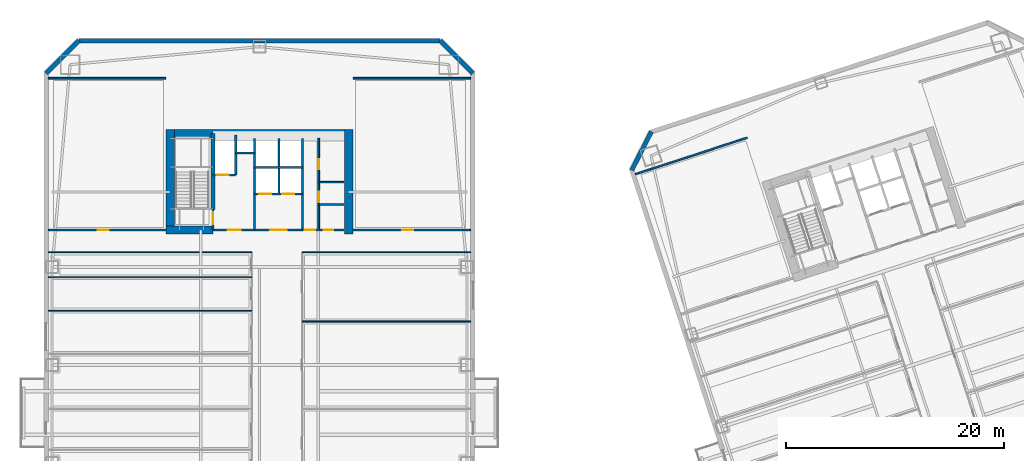
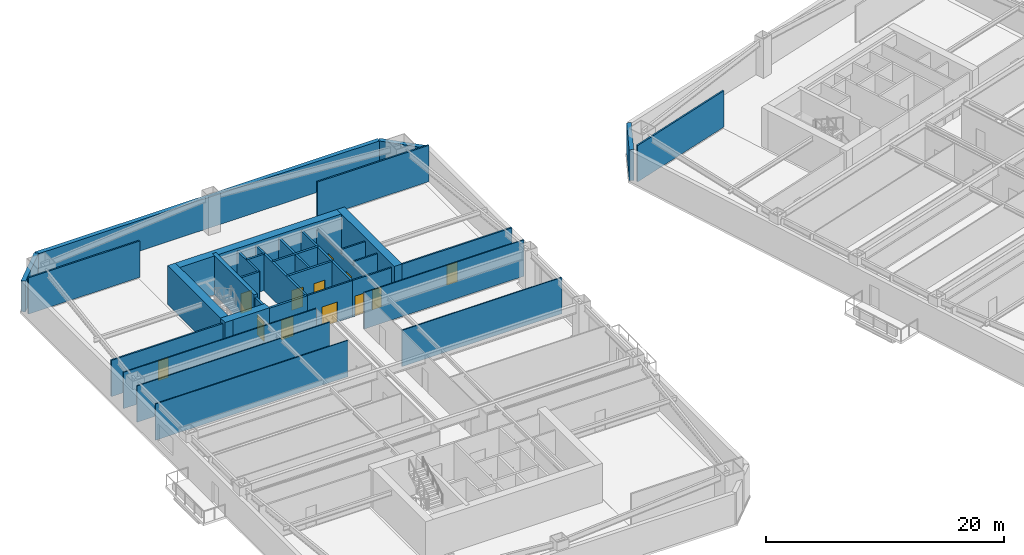
# One storey, part 6 of 18: 34 walls, 12 doors, 12 openings.
"""IFC4 building model written with IfcOpenShell, lengths in metres."""

from ifc_helpers import new_model, si_unit, direction, frame, frame_2d, origin, place, context, subcontext, project, spatial, rectangle, extrude, material, layer, layer_set, type_object, element, fill, save


model = new_model("IFC4")

# Units and contexts
model_context = context("Model", 3, precision=1e-05, world=origin(), true_north=direction((0.0, 1.0)))
body_context = subcontext(model_context, "Body", "Model", "MODEL_VIEW")
ifc_project = project(units=[si_unit("LENGTHUNIT", "METRE"), si_unit("AREAUNIT", "SQUARE_METRE"), si_unit("VOLUMEUNIT", "CUBIC_METRE"), si_unit("PLANEANGLEUNIT", "RADIAN"), si_unit("MASSUNIT", "GRAM", prefix="KILO")], contexts=[model_context])

# Site, building, storey
site_placement = place(None, origin())
site = spatial("IfcSite", under=ifc_project, at=site_placement, CompositionType="ELEMENT")
building_placement = place(site_placement, origin())
building = spatial("IfcBuilding", under=site, at=building_placement, Name="Qiaolan Cultural Towers", CompositionType="ELEMENT")
storey_placement = place(building_placement, frame((0.0, 0.0, 38.0)))
storey = spatial("IfcBuildingStorey", under=building, at=storey_placement, Name="L08", CompositionType="ELEMENT", Elevation=38.0)

# Walls
ifc_material_1 = material(Name="Concrete C50", Category="concrete")
ifc_layer_1 = layer(ifc_material_1, 0.35009765625)
ifc_layer_set_1 = layer_set([ifc_layer_1], Name="Concrete C50")
wall_type_1 = type_object("IfcWallType", Name="WL-CORE-350", PredefinedType="SHEAR", material=ifc_layer_set_1)
wall_1_placement = place(storey_placement, frame((25.719970703125, 48.300048828125, 0.0), z_axis=(0.0, 0.0, 1.0), x_axis=(0.0, 1.0, 0.0)))
element("IfcWall", 1, at=wall_1_placement, inside=storey, type_object=wall_type_1, Name="L08 T1-CN Stair Core Dividing Web", PredefinedType="SHEAR", context=body_context, shape_type="SweptSolid", body=[
    extrude(rectangle(XDim=6.97998046875, YDim=0.35009765625, at=frame_2d((3.489990234375, 0.0))), origin(), (0.0, 0.0, 1.0), 4.0),
])
ifc_material_2 = material(Name="Concrete C60", Category="concrete")
ifc_layer_2 = layer(ifc_material_2, 0.75)
ifc_layer_set_2 = layer_set([ifc_layer_2], Name="Concrete C60")
wall_type_2 = type_object("IfcWallType", Name="WL-CORE-750", PredefinedType="SHEAR", material=ifc_layer_set_2)
wall_2_placement = place(storey_placement, frame((21.425048828125, 55.280029296875, 0.0), z_axis=(0.0, 0.0, 1.0), x_axis=(1.0, 0.0, 0.0)))
element("IfcWall", 2, at=wall_2_placement, inside=storey, type_object=wall_type_2, Name="L08 T1-CN Outer Core Shear Wall", PredefinedType="SHEAR", context=body_context, shape_type="SweptSolid", body=[
    extrude(rectangle(XDim=17.14990234375, YDim=0.75, at=frame_2d((8.574951171875, 0.0))), origin(), (0.0, 0.0, 1.0), 4.0),
])
for number, where, z_axis, x_axis, name in (
    (3, (21.800048828125, 46.02490234375, 0.0), (0.0, 0.0, 1.0), (0.0, 1.0, 0.0), "L08 T1-CN West Core Shear Wall"),
    (4, (38.199951171875, 46.02490234375, 0.0), (0.0, 0.0, 1.0), (0.0, 1.0, 0.0), "L08 T1-CN East Core Shear Wall"),
):
    element("IfcWall", number, at=place(storey_placement, frame(where, z_axis=z_axis, x_axis=x_axis)), inside=storey, type_object=wall_type_2, Name=name, PredefinedType="SHEAR", context=body_context, shape_type="SweptSolid", body=[
        extrude(rectangle(XDim=9.630126953125, YDim=0.75, at=frame_2d((4.81494140625, 0.0))), origin(), (0.0, 0.0, 1.0), 4.0),
    ])
wall_3_placement = place(storey_placement, frame((21.425048828125, 46.39990234375, 0.0), z_axis=(0.0, 0.0, 1.0), x_axis=(1.0, 0.0, 0.0)))
element("IfcWall", 5, at=wall_3_placement, inside=storey, type_object=wall_type_2, Name="L08 T1-CN Stair Front Shear Wall", PredefinedType="SHEAR", context=body_context, shape_type="SweptSolid", body=[
    extrude(rectangle(XDim=4.294921875, YDim=0.75, at=frame_2d((2.1474609375, 0.0))), origin(), (0.0, 0.0, 1.0), 4.0),
])
ifc_material_3 = material(Name="Precast Concrete C50 Honed Stone Pier", Category="masonry")
ifc_layer_3 = layer(ifc_material_3, 0.39990234375)
ifc_layer_set_3 = layer_set([ifc_layer_3], Name="Precast Concrete C50 Honed Stone Pier")
wall_type_3 = type_object("IfcWallType", Name="WL-EXT-PIER-400", PredefinedType="SOLIDWALL", material=ifc_layer_set_3)
wall_4_placement = place(storey_placement, frame((10.39990234375, 60.800048828125, 0.0), z_axis=(0.0, 0.0, 1.0), x_axis=(0.707106781187, 0.707106781187, 0.0)))
element("IfcWall", 6, at=wall_4_placement, inside=storey, type_object=wall_type_3, Name="L08 West Tower Precast Pier Facade Wall F2", PredefinedType="SOLIDWALL", context=body_context, shape_type="SweptSolid", body=[
    extrude(rectangle(XDim=4.24267578125, YDim=0.39990234375, at=frame_2d((2.121337890625, 0.0))), origin(), (0.0, 0.0, 1.0), 3.159912109375),
])
wall_5_placement = place(storey_placement, frame((13.39990234375, 63.800048828125, 0.0), z_axis=(0.0, 0.0, 1.0), x_axis=(1.0, 0.0, 0.0)))
element("IfcWall", 7, at=wall_5_placement, inside=storey, type_object=wall_type_3, Name="L08 West Tower Precast Pier Facade Wall F3", PredefinedType="SOLIDWALL", context=body_context, shape_type="SweptSolid", body=[
    extrude(rectangle(XDim=33.2001953125, YDim=0.39990234375, at=frame_2d((16.60009765625, 0.0))), origin(), (0.0, 0.0, 1.0), 3.159912109375),
])
wall_6_placement = place(storey_placement, frame((46.60009765625, 63.800048828125, 0.0), z_axis=(0.0, 0.0, 1.0), x_axis=(0.707106781187, -0.707106781187, 0.0)))
element("IfcWall", 8, at=wall_6_placement, inside=storey, type_object=wall_type_3, Name="L08 West Tower Precast Pier Facade Wall F4", PredefinedType="SOLIDWALL", context=body_context, shape_type="SweptSolid", body=[
    extrude(rectangle(XDim=4.24267578125, YDim=0.39990234375, at=frame_2d((2.121337890625, 0.0))), origin(), (0.0, 0.0, 1.0), 3.159912109375),
])
wall_7_placement = place(storey_placement, frame((64.20458984375, 51.905029296875, 0.0), z_axis=(0.0, 0.0, 1.0), x_axis=(0.453958106755, 0.891023028497, 0.0)))
element("IfcWall", 9, at=wall_7_placement, inside=storey, type_object=wall_type_3, Name="L08 East Tower Precast Pier Facade Wall F2", PredefinedType="SOLIDWALL", context=body_context, shape_type="SweptSolid", body=[
    extrude(rectangle(XDim=3.9599609375, YDim=0.39990234375, at=frame_2d((1.97998046875, 0.0))), origin(), (0.0, 0.0, 1.0), 3.159912109375),
])

# Wall, opening, door
ifc_material_4 = material(Name="Concrete C35 Fire Wall", Category="concrete")
ifc_layer_4 = layer(ifc_material_4, 0.199951171875)
ifc_layer_set_4 = layer_set([ifc_layer_4], Name="Concrete C35 Fire Wall")
wall_type_4 = type_object("IfcWallType", Name="WL-FIRE-200", PredefinedType="PARTITIONING", material=ifc_layer_set_4)
wall_8_placement = place(storey_placement, frame((25.719970703125, 46.39990234375, 0.0), z_axis=(0.0, 0.0, 1.0), x_axis=(0.0, 1.0, 0.0)))
wall_8 = element("IfcWall", 10, at=wall_8_placement, inside=storey, type_object=wall_type_4, Name="L08 T1-CN Smokeproof Stair Entry Wall", PredefinedType="PARTITIONING", context=body_context, shape_type="SweptSolid", body=[
    extrude(rectangle(XDim=1.900146484375, YDim=0.199951171875, at=frame_2d((0.9501953125, 0.0))), origin(), (0.0, 0.0, 1.0), 3.72509765625),
])
opening_1_placement = place(wall_8_placement, frame((0.52001953125, 0.0, 0.0)))
opening_1 = element("IfcOpeningElement", 11, at=opening_1_placement, cuts=wall_8, Name="Opening FD-04", PredefinedType="OPENING", context=body_context, shape_type="SweptSolid", body=[
    extrude(rectangle(XDim=1.10009765625, YDim=2.050048828125, at=frame_2d((0.550048828125, 1.02490234375))), frame((0.0, 0.10986328125, 0.0), z_axis=(0.0, -1.0, 0.0), x_axis=(1.0, 0.0, 0.0)), (0.0, 0.0, 1.0), 0.219970703125),
])
ifc_material_5 = material(Name="Galvanized Steel Command Fire Door", Category="steel")
door_type_1 = type_object("IfcDoorType", Name="DR-FD90-1100", OperationType="NOTDEFINED", PredefinedType="DOOR", material=ifc_material_5)
door_1_placement = place(opening_1_placement, origin())
door_1 = element("IfcDoor", 12, at=door_1_placement, inside=storey, type_object=door_type_1, Name="L08 ST-W2 Smokeproof Stair Fire Door", OperationType="SINGLE_SWING_LEFT", OverallHeight=2.050048828125, OverallWidth=1.10009765625, PredefinedType="DOOR", context=body_context, shape_type="SweptSolid", body=[
    extrude(rectangle(XDim=1.10009765625, YDim=2.050048828125, at=frame_2d((0.550048828125, 1.02490234375))), frame((0.0, 0.02490234375, 0.0), z_axis=(0.0, -1.0, 0.0), x_axis=(1.0, 0.0, 0.0)), (0.0, 0.0, 1.0), 0.050048828125),
])
fill(opening_1, door_1)

# Wall
wall_9_placement = place(storey_placement, frame((29.550048828125, 46.39990234375, 0.0), z_axis=(0.0, 0.0, 1.0), x_axis=(0.0, 1.0, 0.0)))
element("IfcWall", 13, at=wall_9_placement, inside=storey, type_object=wall_type_4, Name="L08 T1-CN Firefighting Zone Wall", PredefinedType="PARTITIONING", context=body_context, shape_type="SweptSolid", body=[
    extrude(rectangle(XDim=8.43017578125, YDim=0.199951171875, at=frame_2d((4.215087890625, 0.0))), origin(), (0.0, 0.0, 1.0), 3.72509765625),
])

# Wall, opening, door
wall_10_placement = place(storey_placement, frame((25.719970703125, 46.39990234375, 0.0), z_axis=(0.0, 0.0, 1.0), x_axis=(1.0, 0.0, 0.0)))
wall_10 = element("IfcWall", 14, at=wall_10_placement, inside=storey, type_object=wall_type_4, Name="L08 T1-CN Firefighting Lobby Front Wall", PredefinedType="PARTITIONING", context=body_context, shape_type="SweptSolid", body=[
    extrude(rectangle(XDim=3.830078125, YDim=0.199951171875, at=frame_2d((1.9150390625, 0.0))), origin(), (0.0, 0.0, 1.0), 3.72509765625),
])
opening_2_placement = place(wall_10_placement, frame((1.35009765625, 0.0, 0.0)))
opening_2 = element("IfcOpeningElement", 15, at=opening_2_placement, cuts=wall_10, Name="Opening FD-03", PredefinedType="OPENING", context=body_context, shape_type="SweptSolid", body=[
    extrude(rectangle(XDim=1.199951171875, YDim=2.050048828125, at=frame_2d((0.60009765625, 1.02490234375))), frame((0.0, 0.10986328125, 0.0), z_axis=(0.0, -1.0, 0.0), x_axis=(1.0, 0.0, 0.0)), (0.0, 0.0, 1.0), 0.219970703125),
])
ifc_material_6 = material(Name="Galvanized Steel Smokeproof Lobby Fire Door", Category="steel")
door_type_2 = type_object("IfcDoorType", Name="DR-FD90-1200", OperationType="NOTDEFINED", PredefinedType="DOOR", material=ifc_material_6)
door_2_placement = place(opening_2_placement, origin())
door_2 = element("IfcDoor", 16, at=door_2_placement, inside=storey, type_object=door_type_2, Name="L08 FFL-W2 Firefighting Lobby Fire Door", OperationType="SINGLE_SWING_LEFT", OverallHeight=2.050048828125, OverallWidth=1.199951171875, PredefinedType="DOOR", context=body_context, shape_type="SweptSolid", body=[
    extrude(rectangle(XDim=1.199951171875, YDim=2.050048828125, at=frame_2d((0.60009765625, 1.02490234375))), frame((0.0, 0.02490234375, 0.0), z_axis=(0.0, -1.0, 0.0), x_axis=(1.0, 0.0, 0.0)), (0.0, 0.0, 1.0), 0.050048828125),
])
fill(opening_2, door_2)

wall_11_placement = place(storey_placement, frame((25.719970703125, 51.449951171875, 0.0), z_axis=(0.0, 0.0, 1.0), x_axis=(1.0, 0.0, 0.0)))
wall_11 = element("IfcWall", 17, at=wall_11_placement, inside=storey, type_object=wall_type_4, Name="L08 T1-CN Firefighting Shaft Front Wall", PredefinedType="PARTITIONING", context=body_context, shape_type="SweptSolid", body=[
    extrude(rectangle(XDim=2.10009765625, YDim=0.199951171875, at=frame_2d((1.050048828125, 0.0))), origin(), (0.0, 0.0, 1.0), 3.72509765625),
])
opening_3_placement = place(wall_11_placement, frame((0.35009765625, 0.0, 0.0)))
opening_3 = element("IfcOpeningElement", 18, at=opening_3_placement, cuts=wall_11, Name="Opening LD-01", PredefinedType="OPENING", context=body_context, shape_type="SweptSolid", body=[
    extrude(rectangle(XDim=1.10009765625, YDim=2.050048828125, at=frame_2d((0.550048828125, 1.02490234375))), frame((0.0, 0.10986328125, 0.0), z_axis=(0.0, -1.0, 0.0), x_axis=(1.0, 0.0, 0.0)), (0.0, 0.0, 1.0), 0.219970703125),
])
ifc_material_7 = material(Name="Brushed Stainless Steel S30408 Centre-Parting Lift Landing Door", Category="steel")
door_type_3 = type_object("IfcDoorType", Name="DR-LIFT-1100", OperationType="NOTDEFINED", PredefinedType="DOOR", material=ifc_material_7)
door_3_placement = place(opening_3_placement, origin())
door_3 = element("IfcDoor", 19, at=door_3_placement, inside=storey, type_object=door_type_3, Name="L08 FFL-W2 Firefighting Lift Landing Door", OperationType="DOUBLE_DOOR_SLIDING", OverallHeight=2.050048828125, OverallWidth=1.10009765625, PredefinedType="DOOR", context=body_context, shape_type="SweptSolid", body=[
    extrude(rectangle(XDim=1.10009765625, YDim=2.050048828125, at=frame_2d((0.550048828125, 1.02490234375))), frame((0.0, 0.02490234375, 0.0), z_axis=(0.0, -1.0, 0.0), x_axis=(1.0, 0.0, 0.0)), (0.0, 0.0, 1.0), 0.050048828125),
])
fill(opening_3, door_3)

# Walls
wall_12_placement = place(storey_placement, frame((27.820068359375, 51.449951171875, 0.0), z_axis=(0.0, 0.0, 1.0), x_axis=(0.0, 1.0, 0.0)))
element("IfcWall", 20, at=wall_12_placement, inside=storey, type_object=wall_type_4, Name="L08 T1-CN Firefighting Hoistway East Wall", PredefinedType="PARTITIONING", context=body_context, shape_type="SweptSolid", body=[
    extrude(rectangle(XDim=3.699951171875, YDim=0.199951171875, at=frame_2d((1.85009765625, 0.0))), origin(), (0.0, 0.0, 1.0), 3.72509765625),
])
wall_13_placement = place(storey_placement, frame((27.820068359375, 53.47998046875, 0.0), z_axis=(0.0, 0.0, 1.0), x_axis=(1.0, 0.0, 0.0)))
element("IfcWall", 21, at=wall_13_placement, inside=storey, type_object=wall_type_4, Name="L08 T1-CN Pressurization Shaft Front Wall", PredefinedType="PARTITIONING", context=body_context, shape_type="SweptSolid", body=[
    extrude(rectangle(XDim=1.72998046875, YDim=0.199951171875, at=frame_2d((0.864990234375, 0.0))), origin(), (0.0, 0.0, 1.0), 3.72509765625),
])
wall_14_placement = place(storey_placement, frame((33.949951171875, 46.39990234375, 0.0), z_axis=(0.0, 0.0, 1.0), x_axis=(0.0, 1.0, 0.0)))
element("IfcWall", 22, at=wall_14_placement, inside=storey, type_object=wall_type_4, Name="L08 T1-CN Lift Core East Wall", PredefinedType="PARTITIONING", context=body_context, shape_type="SweptSolid", body=[
    extrude(rectangle(XDim=8.43017578125, YDim=0.199951171875, at=frame_2d((4.215087890625, 0.0))), origin(), (0.0, 0.0, 1.0), 3.72509765625),
])

# Wall, openings, doors
wall_15_placement = place(storey_placement, frame((29.550048828125, 49.719970703125, 0.0), z_axis=(0.0, 0.0, 1.0), x_axis=(1.0, 0.0, 0.0)))
wall_15 = element("IfcWall", 23, at=wall_15_placement, inside=storey, type_object=wall_type_4, Name="L08 T1-CN Passenger Lift Shaft Front Wall", PredefinedType="PARTITIONING", context=body_context, shape_type="SweptSolid", body=[
    extrude(rectangle(XDim=4.39990234375, YDim=0.199951171875, at=frame_2d((2.199951171875, 0.0))), origin(), (0.0, 0.0, 1.0), 3.72509765625),
])
opening_4_placement = place(wall_15_placement, frame((0.449951171875, 0.0, 0.0)))
opening_4 = element("IfcOpeningElement", 24, at=opening_4_placement, cuts=wall_15, Name="Opening LD-01", PredefinedType="OPENING", context=body_context, shape_type="SweptSolid", body=[
    extrude(rectangle(XDim=1.10009765625, YDim=2.050048828125, at=frame_2d((0.550048828125, 1.02490234375))), frame((0.0, 0.10986328125, 0.0), z_axis=(0.0, -1.0, 0.0), x_axis=(1.0, 0.0, 0.0)), (0.0, 0.0, 1.0), 0.219970703125),
])
opening_5_placement = place(wall_15_placement, frame((2.550048828125, 0.0, 0.0)))
opening_5 = element("IfcOpeningElement", 25, at=opening_5_placement, cuts=wall_15, Name="Opening LD-01", PredefinedType="OPENING", context=body_context, shape_type="SweptSolid", body=[
    extrude(rectangle(XDim=1.10009765625, YDim=2.050048828125, at=frame_2d((0.550048828125, 1.02490234375))), frame((0.0, 0.10986328125, 0.0), z_axis=(0.0, -1.0, 0.0), x_axis=(1.0, 0.0, 0.0)), (0.0, 0.0, 1.0), 0.219970703125),
])
door_4_placement = place(opening_4_placement, origin())
door_4 = element("IfcDoor", 26, at=door_4_placement, inside=storey, type_object=door_type_3, Name="L08 Passenger Lift 1 Landing Door", OperationType="DOUBLE_DOOR_SLIDING", OverallHeight=2.050048828125, OverallWidth=1.10009765625, PredefinedType="DOOR", context=body_context, shape_type="SweptSolid", body=[
    extrude(rectangle(XDim=1.10009765625, YDim=2.050048828125, at=frame_2d((0.550048828125, 1.02490234375))), frame((0.0, 0.02490234375, 0.0), z_axis=(0.0, -1.0, 0.0), x_axis=(1.0, 0.0, 0.0)), (0.0, 0.0, 1.0), 0.050048828125),
])
fill(opening_4, door_4)
door_5_placement = place(opening_5_placement, origin())
door_5 = element("IfcDoor", 27, at=door_5_placement, inside=storey, type_object=door_type_3, Name="L08 Passenger Lift 2 Landing Door", OperationType="DOUBLE_DOOR_SLIDING", OverallHeight=2.050048828125, OverallWidth=1.10009765625, PredefinedType="DOOR", context=body_context, shape_type="SweptSolid", body=[
    extrude(rectangle(XDim=1.10009765625, YDim=2.050048828125, at=frame_2d((0.550048828125, 1.02490234375))), frame((0.0, 0.02490234375, 0.0), z_axis=(0.0, -1.0, 0.0), x_axis=(1.0, 0.0, 0.0)), (0.0, 0.0, 1.0), 0.050048828125),
])
fill(opening_5, door_5)

# Walls
wall_16_placement = place(storey_placement, frame((31.780029296875, 49.719970703125, 0.0), z_axis=(0.0, 0.0, 1.0), x_axis=(0.0, 1.0, 0.0)))
element("IfcWall", 28, at=wall_16_placement, inside=storey, type_object=wall_type_4, Name="L08 T1-CN Lift Shaft Divider Wall", PredefinedType="PARTITIONING", context=body_context, shape_type="SweptSolid", body=[
    extrude(rectangle(XDim=5.110107421875, YDim=0.199951171875, at=frame_2d((2.55517578125, 0.0))), origin(), (0.0, 0.0, 1.0), 3.72509765625),
])
wall_17_placement = place(storey_placement, frame((29.550048828125, 52.14990234375, 0.0), z_axis=(0.0, 0.0, 1.0), x_axis=(1.0, 0.0, 0.0)))
element("IfcWall", 29, at=wall_17_placement, inside=storey, type_object=wall_type_4, Name="L08 T1-CN Passenger Lift Shaft Back Wall", PredefinedType="PARTITIONING", context=body_context, shape_type="SweptSolid", body=[
    extrude(rectangle(XDim=4.39990234375, YDim=0.199951171875, at=frame_2d((2.199951171875, 0.0))), origin(), (0.0, 0.0, 1.0), 3.72509765625),
])
ifc_material_8 = material(Name="Acoustic Double-Glazed Partition Frame", Category="glass")
ifc_layer_5 = layer(ifc_material_8, 0.10009765625)
ifc_layer_set_5 = layer_set([ifc_layer_5], Name="Acoustic Double-Glazed Partition Frame")
wall_type_5 = type_object("IfcWallType", Name="WL-GLAZED-100", PredefinedType="MOVABLE", material=ifc_layer_set_5)
wall_18_placement = place(storey_placement, frame((10.60009765625, 44.35009765625, 0.0), z_axis=(0.0, 0.0, 1.0), x_axis=(1.0, 0.0, 0.0)))
element("IfcWall", 30, at=wall_18_placement, inside=storey, type_object=wall_type_5, Name="L08 T1 North Corridor Left Wall", PredefinedType="MOVABLE", context=body_context, shape_type="SweptSolid", body=[
    extrude(rectangle(XDim=18.6748046875, YDim=0.10009765625, at=frame_2d((9.33740234375, 0.0))), origin(), (0.0, 0.0, 1.0), 3.72509765625),
])
wall_19_placement = place(storey_placement, frame((33.925048828125, 44.35009765625, 0.0), z_axis=(0.0, 0.0, 1.0), x_axis=(1.0, 0.0, 0.0)))
element("IfcWall", 31, at=wall_19_placement, inside=storey, type_object=wall_type_5, Name="L08 T1 North Corridor Right Wall", PredefinedType="MOVABLE", context=body_context, shape_type="SweptSolid", body=[
    extrude(rectangle(XDim=15.474853515625, YDim=0.10009765625, at=frame_2d((7.7373046875, 0.0))), origin(), (0.0, 0.0, 1.0), 3.72509765625),
])
for number, where, z_axis, x_axis, name in (
    (32, (10.60009765625, 39.0, 0.0), (0.0, 0.0, 1.0), (1.0, 0.0, 0.0), "L08 T1 West Partition 4"),
    (33, (10.60009765625, 42.06591796875, 0.0), (0.0, 0.0, 1.0), (1.0, 0.0, 0.0), "L08 T1 West Partition 5"),
):
    element("IfcWall", number, at=place(storey_placement, frame(where, z_axis=z_axis, x_axis=x_axis)), inside=storey, type_object=wall_type_5, Name=name, PredefinedType="MOVABLE", context=body_context, shape_type="SweptSolid", body=[
        extrude(rectangle(XDim=18.6748046875, YDim=0.10009765625, at=frame_2d((9.33740234375, 0.0))), origin(), (0.0, 0.0, 1.0), 3.72509765625),
    ])
wall_20_placement = place(storey_placement, frame((33.925048828125, 38.0, 0.0), z_axis=(0.0, 0.0, 1.0), x_axis=(1.0, 0.0, 0.0)))
element("IfcWall", 34, at=wall_20_placement, inside=storey, type_object=wall_type_5, Name="L08 T1 East Partition 2", PredefinedType="MOVABLE", context=body_context, shape_type="SweptSolid", body=[
    extrude(rectangle(XDim=15.474853515625, YDim=0.10009765625, at=frame_2d((7.7373046875, 0.0))), origin(), (0.0, 0.0, 1.0), 3.72509765625),
])

# Wall, opening, door
ifc_material_9 = material(Name="Autoclaved Aerated Concrete Block B06", Category="concrete")
ifc_layer_6 = layer(ifc_material_9, 0.14990234375)
ifc_layer_set_6 = layer_set([ifc_layer_6], Name="Autoclaved Aerated Concrete Block B06")
wall_type_6 = type_object("IfcWallType", Name="WL-PART-150", PredefinedType="PARTITIONING", material=ifc_layer_set_6)
wall_21_placement = place(storey_placement, frame((29.550048828125, 46.39990234375, 0.0), z_axis=(0.0, 0.0, 1.0), x_axis=(1.0, 0.0, 0.0)))
wall_21 = element("IfcWall", 35, at=wall_21_placement, inside=storey, type_object=wall_type_6, Name="L08 T1-CN Passenger Lift Lobby Front Wall", PredefinedType="PARTITIONING", context=body_context, shape_type="SweptSolid", body=[
    extrude(rectangle(XDim=4.39990234375, YDim=0.14990234375, at=frame_2d((2.199951171875, 0.0))), origin(), (0.0, 0.0, 1.0), 3.72509765625),
])
opening_6_placement = place(wall_21_placement, frame((1.449951171875, 0.0, 0.0)))
opening_6 = element("IfcOpeningElement", 36, at=opening_6_placement, cuts=wall_21, Name="Opening FD-05", PredefinedType="OPENING", context=body_context, shape_type="SweptSolid", body=[
    extrude(rectangle(XDim=1.5, YDim=2.050048828125, at=frame_2d((0.75, 1.02490234375))), frame((0.0, 0.0849609375, 0.0), z_axis=(0.0, -1.0, 0.0), x_axis=(1.0, 0.0, 0.0)), (0.0, 0.0, 1.0), 0.169921875),
])
ifc_material_10 = material(Name="Painted Steel Lift Lobby Fire Door", Category="steel")
door_type_4 = type_object("IfcDoorType", Name="DR-FD60-1500", OperationType="NOTDEFINED", PredefinedType="DOOR", material=ifc_material_10)
door_6_placement = place(opening_6_placement, origin())
door_6 = element("IfcDoor", 37, at=door_6_placement, inside=storey, type_object=door_type_4, Name="L08 Passenger Lift Lobby Entrance", OperationType="SINGLE_SWING_LEFT", OverallHeight=2.050048828125, OverallWidth=1.5, PredefinedType="DOOR", context=body_context, shape_type="SweptSolid", body=[
    extrude(rectangle(XDim=1.5, YDim=2.050048828125, at=frame_2d((0.75, 1.02490234375))), frame((0.0, 0.02490234375, 0.0), z_axis=(0.0, -1.0, 0.0), x_axis=(1.0, 0.0, 0.0)), (0.0, 0.0, 1.0), 0.050048828125),
])
fill(opening_6, door_6)

# Wall, openings, doors
wall_22_placement = place(storey_placement, frame((33.949951171875, 46.39990234375, 0.0), z_axis=(0.0, 0.0, 1.0), x_axis=(1.0, 0.0, 0.0)))
wall_22 = element("IfcWall", 38, at=wall_22_placement, inside=storey, type_object=wall_type_6, Name="L08 T1-CN Sanitary Core Front Wall", PredefinedType="PARTITIONING", context=body_context, shape_type="SweptSolid", body=[
    extrude(rectangle(XDim=3.800048828125, YDim=0.14990234375, at=frame_2d((1.89990234375, 0.0))), origin(), (0.0, 0.0, 1.0), 3.72509765625),
])
opening_7_placement = place(wall_22_placement, frame((0.219970703125, 0.0, 0.0)))
opening_7 = element("IfcOpeningElement", 39, at=opening_7_placement, cuts=wall_22, Name="Opening ID-05", PredefinedType="OPENING", context=body_context, shape_type="SweptSolid", body=[
    extrude(rectangle(XDim=0.949951171875, YDim=2.050048828125, at=frame_2d((0.47509765625, 1.02490234375))), frame((0.0, 0.0849609375, 0.0), z_axis=(0.0, -1.0, 0.0), x_axis=(1.0, 0.0, 0.0)), (0.0, 0.0, 1.0), 0.169921875),
])
opening_8_placement = place(wall_22_placement, frame((1.949951171875, 0.0, 0.0)))
opening_8 = element("IfcOpeningElement", 40, at=opening_8_placement, cuts=wall_22, Name="Opening ID-06", PredefinedType="OPENING", context=body_context, shape_type="SweptSolid", body=[
    extrude(rectangle(XDim=0.89990234375, YDim=2.050048828125, at=frame_2d((0.449951171875, 1.02490234375))), frame((0.0, 0.0849609375, 0.0), z_axis=(0.0, -1.0, 0.0), x_axis=(1.0, 0.0, 0.0)), (0.0, 0.0, 1.0), 0.169921875),
])
ifc_material_11 = material(Name="Fire-Rated Laminate Core Service Door", Category="timber")
door_type_5 = type_object("IfcDoorType", Name="DR-INT-900", OperationType="NOTDEFINED", PredefinedType="DOOR", material=ifc_material_11)
door_7_placement = place(opening_8_placement, origin())
door_7 = element("IfcDoor", 41, at=door_7_placement, inside=storey, type_object=door_type_5, Name="L08 Core Tea Pantry Door", OperationType="SINGLE_SWING_RIGHT", OverallHeight=2.050048828125, OverallWidth=0.89990234375, PredefinedType="DOOR", context=body_context, shape_type="SweptSolid", body=[
    extrude(rectangle(XDim=0.89990234375, YDim=2.050048828125, at=frame_2d((0.449951171875, 1.02490234375))), frame((0.0, 0.02490234375, 0.0), z_axis=(0.0, -1.0, 0.0), x_axis=(1.0, 0.0, 0.0)), (0.0, 0.0, 1.0), 0.050048828125),
])
fill(opening_8, door_7)
ifc_material_12 = material(Name="Fire-Rated Laminate Accessible Core Door", Category="timber")
door_type_6 = type_object("IfcDoorType", Name="DR-INT-950", OperationType="NOTDEFINED", PredefinedType="DOOR", material=ifc_material_12)
door_8_placement = place(opening_7_placement, origin())
door_8 = element("IfcDoor", 42, at=door_8_placement, inside=storey, type_object=door_type_6, Name="L08 Sanitary Passage Door", OperationType="SINGLE_SWING_LEFT", OverallHeight=2.050048828125, OverallWidth=0.949951171875, PredefinedType="DOOR", context=body_context, shape_type="SweptSolid", body=[
    extrude(rectangle(XDim=0.949951171875, YDim=2.050048828125, at=frame_2d((0.47509765625, 1.02490234375))), frame((0.0, 0.02490234375, 0.0), z_axis=(0.0, -1.0, 0.0), x_axis=(1.0, 0.0, 0.0)), (0.0, 0.0, 1.0), 0.050048828125),
])
fill(opening_7, door_8)

wall_23_placement = place(storey_placement, frame((35.449951171875, 46.39990234375, 0.0), z_axis=(0.0, 0.0, 1.0), x_axis=(0.0, 1.0, 0.0)))
wall_23 = element("IfcWall", 43, at=wall_23_placement, inside=storey, type_object=wall_type_6, Name="L08 T1-CN Sanitary Corridor Wall", PredefinedType="PARTITIONING", context=body_context, shape_type="SweptSolid", body=[
    extrude(rectangle(XDim=8.43017578125, YDim=0.14990234375, at=frame_2d((4.215087890625, 0.0))), origin(), (0.0, 0.0, 1.0), 3.31494140625),
])
opening_9_placement = place(wall_23_placement, frame((2.550048828125, 0.0, 0.0)))
opening_9 = element("IfcOpeningElement", 44, at=opening_9_placement, cuts=wall_23, Name="Opening ID-05", PredefinedType="OPENING", context=body_context, shape_type="SweptSolid", body=[
    extrude(rectangle(XDim=0.949951171875, YDim=2.050048828125, at=frame_2d((0.47509765625, 1.02490234375))), frame((0.0, 0.0849609375, 0.0), z_axis=(0.0, -1.0, 0.0), x_axis=(1.0, 0.0, 0.0)), (0.0, 0.0, 1.0), 0.169921875),
])
opening_10_placement = place(wall_23_placement, frame((5.60009765625, 0.0, 0.0)))
opening_10 = element("IfcOpeningElement", 45, at=opening_10_placement, cuts=wall_23, Name="Opening ID-06", PredefinedType="OPENING", context=body_context, shape_type="SweptSolid", body=[
    extrude(rectangle(XDim=0.89990234375, YDim=2.050048828125, at=frame_2d((0.449951171875, 1.02490234375))), frame((0.0, 0.0849609375, 0.0), z_axis=(0.0, -1.0, 0.0), x_axis=(1.0, 0.0, 0.0)), (0.0, 0.0, 1.0), 0.169921875),
])
door_9_placement = place(opening_10_placement, origin())
door_9 = element("IfcDoor", 46, at=door_9_placement, inside=storey, type_object=door_type_5, Name="L08 Staff Restroom Door", OperationType="SINGLE_SWING_RIGHT", OverallHeight=2.050048828125, OverallWidth=0.89990234375, PredefinedType="DOOR", context=body_context, shape_type="SweptSolid", body=[
    extrude(rectangle(XDim=0.89990234375, YDim=2.050048828125, at=frame_2d((0.449951171875, 1.02490234375))), frame((0.0, 0.02490234375, 0.0), z_axis=(0.0, -1.0, 0.0), x_axis=(1.0, 0.0, 0.0)), (0.0, 0.0, 1.0), 0.050048828125),
])
fill(opening_10, door_9)
door_10_placement = place(opening_9_placement, origin())
door_10 = element("IfcDoor", 47, at=door_10_placement, inside=storey, type_object=door_type_6, Name="L08 Accessible Washroom Door", OperationType="SINGLE_SWING_LEFT", OverallHeight=2.050048828125, OverallWidth=0.949951171875, PredefinedType="DOOR", context=body_context, shape_type="SweptSolid", body=[
    extrude(rectangle(XDim=0.949951171875, YDim=2.050048828125, at=frame_2d((0.47509765625, 1.02490234375))), frame((0.0, 0.02490234375, 0.0), z_axis=(0.0, -1.0, 0.0), x_axis=(1.0, 0.0, 0.0)), (0.0, 0.0, 1.0), 0.050048828125),
])
fill(opening_9, door_10)

# Walls
for number, where, z_axis, x_axis, name in (
    (48, (35.449951171875, 50.800048828125, 0.0), (0.0, 0.0, 1.0), (1.0, 0.0, 0.0), "L08 T1-CN Restroom Split Wall"),
    (49, (35.449951171875, 48.75, 0.0), (0.0, 0.0, 1.0), (1.0, 0.0, 0.0), "L08 T1-CN Core Pantry Wall"),
):
    element("IfcWall", number, at=place(storey_placement, frame(where, z_axis=z_axis, x_axis=x_axis)), inside=storey, type_object=wall_type_6, Name=name, PredefinedType="PARTITIONING", context=body_context, shape_type="SweptSolid", body=[
        extrude(rectangle(XDim=2.300048828125, YDim=0.14990234375, at=frame_2d((1.14990234375, 0.0))), origin(), (0.0, 0.0, 1.0), 3.72509765625),
    ])
wall_24_placement = place(storey_placement, frame((10.60009765625, 60.35009765625, 0.0), z_axis=(0.0, 0.0, 1.0), x_axis=(1.0, 0.0, 0.0)))
element("IfcWall", 50, at=wall_24_placement, inside=storey, type_object=wall_type_6, Name="L08 T1 Flank Wall FLK-NW", PredefinedType="PARTITIONING", context=body_context, shape_type="SweptSolid", body=[
    extrude(rectangle(XDim=10.7998046875, YDim=0.14990234375, at=frame_2d((5.39990234375, 0.0))), origin(), (0.0, 0.0, 1.0), 3.72509765625),
])

# Wall, opening, door
wall_25_placement = place(storey_placement, frame((10.60009765625, 46.39990234375, 0.0), z_axis=(0.0, 0.0, 1.0), x_axis=(1.0, 0.0, 0.0)))
wall_25 = element("IfcWall", 51, at=wall_25_placement, inside=storey, type_object=wall_type_6, Name="L08 T1 Flank Front FLK-NW", PredefinedType="PARTITIONING", context=body_context, shape_type="SweptSolid", body=[
    extrude(rectangle(XDim=10.7998046875, YDim=0.14990234375, at=frame_2d((5.39990234375, 0.0))), origin(), (0.0, 0.0, 1.0), 3.72509765625),
])
opening_11_placement = place(wall_25_placement, frame((4.535888671875, 0.0, 0.0)))
opening_11 = element("IfcOpeningElement", 52, at=opening_11_placement, cuts=wall_25, Name="Opening ID-04", PredefinedType="OPENING", context=body_context, shape_type="SweptSolid", body=[
    extrude(rectangle(XDim=1.0, YDim=2.050048828125, at=frame_2d((0.5, 1.02490234375))), frame((0.0, 0.0849609375, 0.0), z_axis=(0.0, -1.0, 0.0), x_axis=(1.0, 0.0, 0.0)), (0.0, 0.0, 1.0), 0.169921875),
])
ifc_material_13 = material(Name="Oak Veneer Acoustic Office Door", Category="timber")
door_type_7 = type_object("IfcDoorType", Name="DR-INT-1000", OperationType="NOTDEFINED", PredefinedType="DOOR", material=ifc_material_13)
door_11_placement = place(opening_11_placement, origin())
door_11 = element("IfcDoor", 53, at=door_11_placement, inside=storey, type_object=door_type_7, Name="L08 T1 Corner Studio Door", OperationType="SINGLE_SWING_LEFT", OverallHeight=2.050048828125, OverallWidth=1.0, PredefinedType="DOOR", context=body_context, shape_type="SweptSolid", body=[
    extrude(rectangle(XDim=1.0, YDim=2.050048828125, at=frame_2d((0.5, 1.02490234375))), frame((0.0, 0.02490234375, 0.0), z_axis=(0.0, -1.0, 0.0), x_axis=(1.0, 0.0, 0.0)), (0.0, 0.0, 1.0), 0.050048828125),
])
fill(opening_11, door_11)

# Wall
wall_26_placement = place(storey_placement, frame((38.60009765625, 60.35009765625, 0.0), z_axis=(0.0, 0.0, 1.0), x_axis=(1.0, 0.0, 0.0)))
element("IfcWall", 54, at=wall_26_placement, inside=storey, type_object=wall_type_6, Name="L08 T1 Flank Wall FLK-NE", PredefinedType="PARTITIONING", context=body_context, shape_type="SweptSolid", body=[
    extrude(rectangle(XDim=10.7998046875, YDim=0.14990234375, at=frame_2d((5.39990234375, 0.0))), origin(), (0.0, 0.0, 1.0), 3.72509765625),
])

# Wall, opening, door
wall_27_placement = place(storey_placement, frame((38.60009765625, 46.39990234375, 0.0), z_axis=(0.0, 0.0, 1.0), x_axis=(1.0, 0.0, 0.0)))
wall_27 = element("IfcWall", 55, at=wall_27_placement, inside=storey, type_object=wall_type_6, Name="L08 T1 Flank Front FLK-NE", PredefinedType="PARTITIONING", context=body_context, shape_type="SweptSolid", body=[
    extrude(rectangle(XDim=10.7998046875, YDim=0.14990234375, at=frame_2d((5.39990234375, 0.0))), origin(), (0.0, 0.0, 1.0), 3.72509765625),
])
opening_12_placement = place(wall_27_placement, frame((4.535888671875, 0.0, 0.0)))
opening_12 = element("IfcOpeningElement", 56, at=opening_12_placement, cuts=wall_27, Name="Opening ID-04", PredefinedType="OPENING", context=body_context, shape_type="SweptSolid", body=[
    extrude(rectangle(XDim=1.0, YDim=2.050048828125, at=frame_2d((0.5, 1.02490234375))), frame((0.0, 0.0849609375, 0.0), z_axis=(0.0, -1.0, 0.0), x_axis=(1.0, 0.0, 0.0)), (0.0, 0.0, 1.0), 0.169921875),
])
door_12_placement = place(opening_12_placement, origin())
door_12 = element("IfcDoor", 57, at=door_12_placement, inside=storey, type_object=door_type_7, Name="L08 T1 Corner Studio Door", OperationType="SINGLE_SWING_LEFT", OverallHeight=2.050048828125, OverallWidth=1.0, PredefinedType="DOOR", context=body_context, shape_type="SweptSolid", body=[
    extrude(rectangle(XDim=1.0, YDim=2.050048828125, at=frame_2d((0.5, 1.02490234375))), frame((0.0, 0.02490234375, 0.0), z_axis=(0.0, -1.0, 0.0), x_axis=(1.0, 0.0, 0.0)), (0.0, 0.0, 1.0), 0.050048828125),
])
fill(opening_12, door_12)

# Wall
wall_28_placement = place(storey_placement, frame((64.53369140625, 51.538818359375, 0.0), z_axis=(0.0, 0.0, 1.0), x_axis=(0.951056658866, 0.309016555588, 0.0)))
element("IfcWall", 58, at=wall_28_placement, inside=storey, type_object=wall_type_6, Name="L08 T2 Flank Wall FLK-NW", PredefinedType="PARTITIONING", context=body_context, shape_type="SweptSolid", body=[
    extrude(rectangle(XDim=10.800048828125, YDim=0.14990234375, at=frame_2d((5.39990234375, 0.0))), origin(), (0.0, 0.0, 1.0), 3.72509765625),
])

save(model, "model.ifc")
